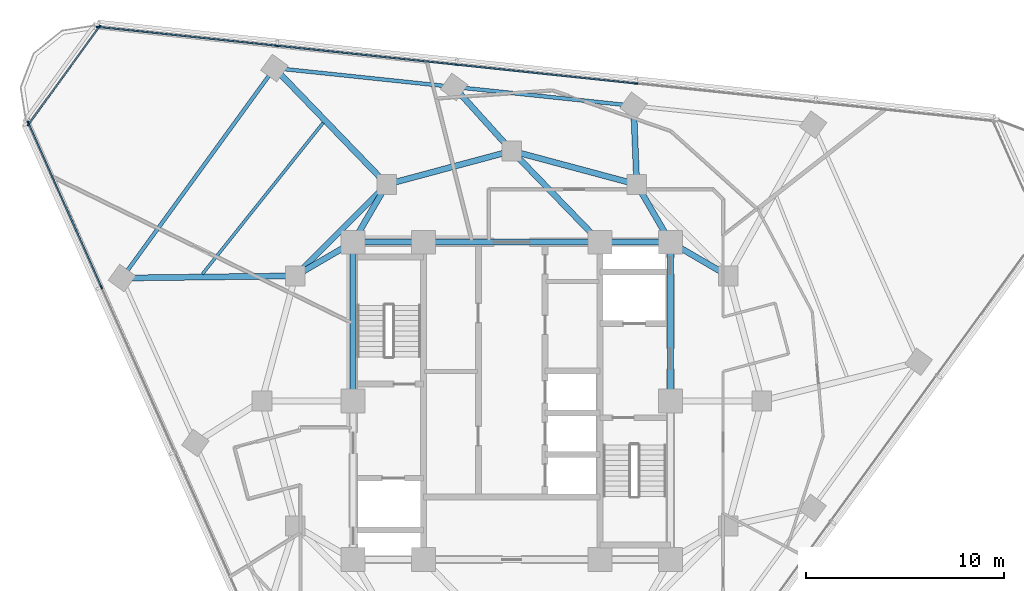
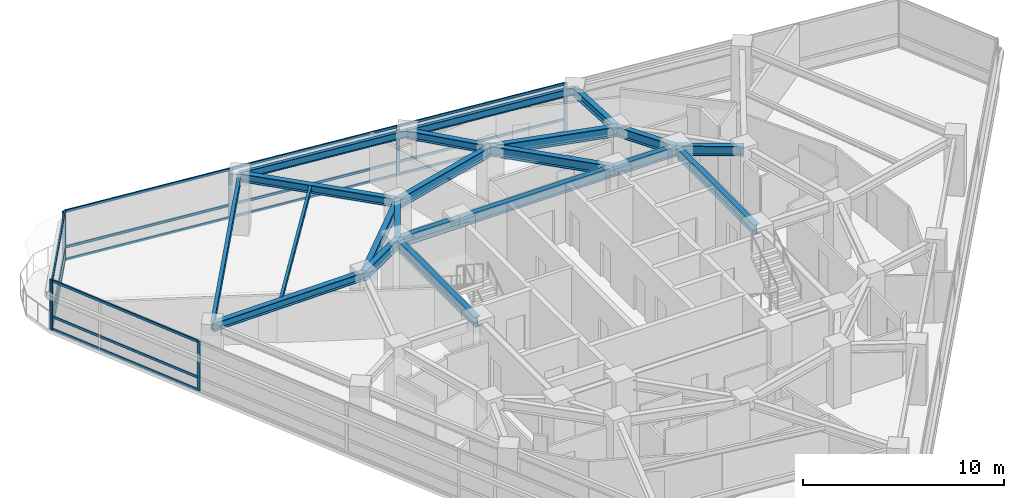
# One storey, part 5 of 14: 23 members, 21 beams, 3 elements without a shape of their own.
"""IFC4 building model written with IfcOpenShell, lengths in metres."""

from ifc_helpers import new_model, si_unit, direction, frame, origin, origin_2d, place, context, subcontext, project, spatial, rectangle, i_section, extrude, material, layer, layer_set, material_profile, profile_set, type_object, element, aggregate, save


model = new_model("IFC4")

# Units and contexts
model_context = context("Model", 3, precision=1e-05, world=origin(), true_north=direction((0.0, 1.0)))
body_context = subcontext(model_context, "Body", "Model", "MODEL_VIEW")
ifc_project = project(units=[si_unit("LENGTHUNIT", "METRE"), si_unit("AREAUNIT", "SQUARE_METRE"), si_unit("VOLUMEUNIT", "CUBIC_METRE"), si_unit("PLANEANGLEUNIT", "RADIAN"), si_unit("MASSUNIT", "GRAM", prefix="KILO")], contexts=[model_context])

# Site, building, storey
site_placement = place(None, origin())
site = spatial("IfcSite", under=ifc_project, at=site_placement, CompositionType="ELEMENT")
building_placement = place(site_placement, origin())
building = spatial("IfcBuilding", under=site, at=building_placement, Name="Terralouvre Media Tower", CompositionType="ELEMENT")
storey_placement = place(building_placement, frame((0.0, 0.0, 218.89990234375)))
storey = spatial("IfcBuildingStorey", under=building, at=storey_placement, Name="L56", CompositionType="ELEMENT", Elevation=218.89990234375)

# Beam
ifc_material_1 = material(Name="Structural steel S355J2", Category="steel")
ifc_material_profile_1 = material_profile(ifc_material_1, i_section(OverallWidth=0.14990234375, OverallDepth=0.300048828125, WebThickness=0.007080078125, FlangeThickness=0.0107421875, at=origin_2d()), Name="IPE 300")
ifc_profile_set_1 = profile_set([ifc_material_profile_1], Name="Structural steel S355J2")
beam_type_1 = type_object("IfcBeamType", Name="Composite Floor Joist J-IPE300 (IPE 300)", PredefinedType="JOIST", material=ifc_profile_set_1)
beam_1_placement = place(storey_placement, frame((-9.507568359375, 14.0205078125, 3.35009765625), z_axis=(-0.623938489158, -0.781473455561, 0.0), x_axis=(0.781473455561, -0.623938489158, 0.0)))
element("IfcBeam", 1, at=beam_1_placement, inside=storey, type_object=beam_type_1, Name="L56 Framing Beam JT-L56-05", PredefinedType="JOIST", context=body_context, shape_type="SweptSolid", body=[
    extrude(i_section(OverallWidth=0.14990234375, OverallDepth=0.300048828125, WebThickness=0.007080078125, FlangeThickness=0.0107421875, at=origin_2d()), origin(), (0.0, 0.0, 1.0), 9.763427734375),
])

# Curtain wall, members
ifc_material_2 = material(Name="Low-iron laminated double glazing with solar-control coating", Category="glass")
ifc_layer_1 = layer(ifc_material_2, 0.1650390625, Name="Upper Executive Tower Curtain Wall CW-05")
ifc_layer_set_1 = layer_set([ifc_layer_1], Name="Low-iron laminated double glazing with solar-control coating")
curtain_wall_type_1 = type_object("IfcCurtainWallType", Name="Upper Executive Tower Curtain Wall CW-05", PredefinedType="NOTDEFINED", material=ifc_layer_set_1)
curtain_wall_1_placement = place(storey_placement, origin())
curtain_wall_1 = element("IfcCurtainWall", 2, at=curtain_wall_1_placement, inside=storey, type_object=curtain_wall_type_1, Name="L56 Facade Curtain Wall F1", PredefinedType="NOTDEFINED")
ifc_material_3 = material(Name="Anodised extruded aluminium 6063-T6", Category="aluminium")
ifc_material_profile_2 = material_profile(ifc_material_3, rectangle(XDim=0.074951171875, YDim=0.14990234375, at=origin_2d()), Name="ALU 75x150")
ifc_profile_set_2 = profile_set([ifc_material_profile_2], Name="Anodised extruded aluminium 6063-T6")
member_type_1 = type_object("IfcMemberType", Name="Curtain-Wall Horizontal Transom TR-150", PredefinedType="USERDEFINED", material=ifc_profile_set_2)
member_1_placement = place(storey_placement, frame((6.21923828125, 16.002197265625, 0.03759765625), z_axis=(-0.994522041896, 0.104527069141, 0.0), x_axis=(-0.104527069141, -0.994522041896, 0.0)))
member_1 = element("IfcMember", 3, at=member_1_placement, type_object=member_type_1, Name="CW-05 transom 3.1", ObjectType="TRANSOM", PredefinedType="USERDEFINED", context=body_context, shape_type="SweptSolid", body=[
    extrude(rectangle(XDim=0.074951171875, YDim=0.14990234375, at=origin_2d()), origin(), (0.0, 0.0, 1.0), 9.025146484375),
])
member_2_placement = place(storey_placement, frame((6.21923828125, 16.002197265625, 0.800048828125), z_axis=(-0.994522041896, 0.104527069141, 0.0), x_axis=(-0.104527069141, -0.994522041896, 0.0)))
member_2 = element("IfcMember", 4, at=member_2_placement, type_object=member_type_1, Name="CW-05 transom 3.2", ObjectType="TRANSOM", PredefinedType="USERDEFINED", context=body_context, shape_type="SweptSolid", body=[
    extrude(rectangle(XDim=0.074951171875, YDim=0.14990234375, at=origin_2d()), origin(), (0.0, 0.0, 1.0), 9.025146484375),
])
member_3_placement = place(storey_placement, frame((6.21923828125, 16.002197265625, 2.962646484375), z_axis=(-0.994522041896, 0.104527069141, 0.0), x_axis=(-0.104527069141, -0.994522041896, 0.0)))
member_3 = element("IfcMember", 5, at=member_3_placement, type_object=member_type_1, Name="CW-05 transom 3.3", ObjectType="TRANSOM", PredefinedType="USERDEFINED", context=body_context, shape_type="SweptSolid", body=[
    extrude(rectangle(XDim=0.074951171875, YDim=0.14990234375, at=origin_2d()), origin(), (0.0, 0.0, 1.0), 9.025146484375),
])
member_4_placement = place(storey_placement, frame((-2.830810546875, 16.95361328125, 0.03759765625), z_axis=(-0.994522041896, 0.104527069141, 0.0), x_axis=(-0.104527069141, -0.994522041896, 0.0)))
member_4 = element("IfcMember", 6, at=member_4_placement, type_object=member_type_1, Name="CW-05 transom 4.1", ObjectType="TRANSOM", PredefinedType="USERDEFINED", context=body_context, shape_type="SweptSolid", body=[
    extrude(rectangle(XDim=0.074951171875, YDim=0.14990234375, at=origin_2d()), origin(), (0.0, 0.0, 1.0), 9.025146484375),
])
member_5_placement = place(storey_placement, frame((-2.830810546875, 16.95361328125, 0.800048828125), z_axis=(-0.994522041896, 0.104527069141, 0.0), x_axis=(-0.104527069141, -0.994522041896, 0.0)))
member_5 = element("IfcMember", 7, at=member_5_placement, type_object=member_type_1, Name="CW-05 transom 4.2", ObjectType="TRANSOM", PredefinedType="USERDEFINED", context=body_context, shape_type="SweptSolid", body=[
    extrude(rectangle(XDim=0.074951171875, YDim=0.14990234375, at=origin_2d()), origin(), (0.0, 0.0, 1.0), 9.025146484375),
])
member_6_placement = place(storey_placement, frame((-2.830810546875, 16.95361328125, 2.962646484375), z_axis=(-0.994522041896, 0.104527069141, 0.0), x_axis=(-0.104527069141, -0.994522041896, 0.0)))
member_6 = element("IfcMember", 8, at=member_6_placement, type_object=member_type_1, Name="CW-05 transom 4.3", ObjectType="TRANSOM", PredefinedType="USERDEFINED", context=body_context, shape_type="SweptSolid", body=[
    extrude(rectangle(XDim=0.074951171875, YDim=0.14990234375, at=origin_2d()), origin(), (0.0, 0.0, 1.0), 9.025146484375),
])
member_7_placement = place(storey_placement, frame((-11.881103515625, 17.90478515625, 0.03759765625), z_axis=(-0.994521813919, 0.104529238206, 0.0), x_axis=(-0.104529238206, -0.994521813919, 0.0)))
member_7 = element("IfcMember", 9, at=member_7_placement, type_object=member_type_1, Name="CW-05 transom 5.1", ObjectType="TRANSOM", PredefinedType="USERDEFINED", context=body_context, shape_type="SweptSolid", body=[
    extrude(rectangle(XDim=0.074951171875, YDim=0.14990234375, at=origin_2d()), origin(), (0.0, 0.0, 1.0), 8.987548828125),
])
member_8_placement = place(storey_placement, frame((-11.881103515625, 17.90478515625, 0.800048828125), z_axis=(-0.994521813919, 0.104529238206, 0.0), x_axis=(-0.104529238206, -0.994521813919, 0.0)))
member_8 = element("IfcMember", 10, at=member_8_placement, type_object=member_type_1, Name="CW-05 transom 5.2", ObjectType="TRANSOM", PredefinedType="USERDEFINED", context=body_context, shape_type="SweptSolid", body=[
    extrude(rectangle(XDim=0.074951171875, YDim=0.14990234375, at=origin_2d()), origin(), (0.0, 0.0, 1.0), 8.987548828125),
])
member_9_placement = place(storey_placement, frame((-11.881103515625, 17.90478515625, 2.962646484375), z_axis=(-0.994521813919, 0.104529238206, 0.0), x_axis=(-0.104529238206, -0.994521813919, 0.0)))
member_9 = element("IfcMember", 11, at=member_9_placement, type_object=member_type_1, Name="CW-05 transom 5.3", ObjectType="TRANSOM", PredefinedType="USERDEFINED", context=body_context, shape_type="SweptSolid", body=[
    extrude(rectangle(XDim=0.074951171875, YDim=0.14990234375, at=origin_2d()), origin(), (0.0, 0.0, 1.0), 8.987548828125),
])

curtain_wall_2_placement = place(storey_placement, origin())
curtain_wall_2 = element("IfcCurtainWall", 12, at=curtain_wall_2_placement, inside=storey, type_object=curtain_wall_type_1, Name="L56 Facade Curtain Wall F2", PredefinedType="NOTDEFINED")
member_10_placement = place(storey_placement, frame((-24.35546875, 13.97705078125, 0.03759765625), z_axis=(0.406758390963, -0.913535774549, 0.0), x_axis=(0.913535774549, 0.406758390963, 0.0)))
member_10 = element("IfcMember", 13, at=member_10_placement, type_object=member_type_1, Name="CW-05 transom 1.1", ObjectType="TRANSOM", PredefinedType="USERDEFINED", context=body_context, shape_type="SweptSolid", body=[
    extrude(rectangle(XDim=0.074951171875, YDim=0.14990234375, at=origin_2d()), origin(), (0.0, 0.0, 1.0), 8.987548828125),
])
member_11_placement = place(storey_placement, frame((-24.35546875, 13.97705078125, 0.800048828125), z_axis=(0.406758390963, -0.913535774549, 0.0), x_axis=(0.913535774549, 0.406758390963, 0.0)))
member_11 = element("IfcMember", 14, at=member_11_placement, type_object=member_type_1, Name="CW-05 transom 1.2", ObjectType="TRANSOM", PredefinedType="USERDEFINED", context=body_context, shape_type="SweptSolid", body=[
    extrude(rectangle(XDim=0.074951171875, YDim=0.14990234375, at=origin_2d()), origin(), (0.0, 0.0, 1.0), 8.987548828125),
])
member_12_placement = place(storey_placement, frame((-24.35546875, 13.97705078125, 2.962646484375), z_axis=(0.406758390963, -0.913535774549, 0.0), x_axis=(0.913535774549, 0.406758390963, 0.0)))
member_12 = element("IfcMember", 15, at=member_12_placement, type_object=member_type_1, Name="CW-05 transom 1.3", ObjectType="TRANSOM", PredefinedType="USERDEFINED", context=body_context, shape_type="SweptSolid", body=[
    extrude(rectangle(XDim=0.074951171875, YDim=0.14990234375, at=origin_2d()), origin(), (0.0, 0.0, 1.0), 8.987548828125),
])

ifc_material_4 = material(Name="Low-iron laminated double glazing with solar-control coating", Category="glass")
ifc_layer_2 = layer(ifc_material_4, 0.1650390625, Name="Rounded Wind-Corner Curved Glazing CW-04")
ifc_layer_set_2 = layer_set([ifc_layer_2], Name="Low-iron laminated double glazing with solar-control coating")
curtain_wall_type_2 = type_object("IfcCurtainWallType", Name="Rounded Wind-Corner Curved Glazing CW-04", PredefinedType="NOTDEFINED", material=ifc_layer_set_2)
curtain_wall_3_placement = place(storey_placement, origin())
curtain_wall_3 = element("IfcCurtainWall", 16, at=curtain_wall_3_placement, inside=storey, type_object=curtain_wall_type_2, Name="L56 Rounded Wind-Corner Curtain Wall C2", PredefinedType="NOTDEFINED")
member_13_placement = place(storey_placement, frame((-20.812255859375, 18.828369140625, 0.03759765625), z_axis=(-0.58777959511, -0.809021104528, 0.0), x_axis=(0.809021104528, -0.58777959511, 0.0)))
member_13 = element("IfcMember", 17, at=member_13_placement, type_object=member_type_1, Name="CW-04 transom 1.1", ObjectType="TRANSOM", PredefinedType="USERDEFINED", context=body_context, shape_type="SweptSolid", body=[
    extrude(rectangle(XDim=0.074951171875, YDim=0.14990234375, at=origin_2d()), origin(), (0.0, 0.0, 1.0), 5.99853515625),
])
member_14_placement = place(storey_placement, frame((-20.812255859375, 18.828369140625, 0.800048828125), z_axis=(-0.58777959511, -0.809021104528, 0.0), x_axis=(0.809021104528, -0.58777959511, 0.0)))
member_14 = element("IfcMember", 18, at=member_14_placement, type_object=member_type_1, Name="CW-04 transom 1.2", ObjectType="TRANSOM", PredefinedType="USERDEFINED", context=body_context, shape_type="SweptSolid", body=[
    extrude(rectangle(XDim=0.074951171875, YDim=0.14990234375, at=origin_2d()), origin(), (0.0, 0.0, 1.0), 5.99853515625),
])
member_15_placement = place(storey_placement, frame((-20.812255859375, 18.828369140625, 2.962646484375), z_axis=(-0.58777959511, -0.809021104528, 0.0), x_axis=(0.809021104528, -0.58777959511, 0.0)))
member_15 = element("IfcMember", 19, at=member_15_placement, type_object=member_type_1, Name="CW-04 transom 1.3", ObjectType="TRANSOM", PredefinedType="USERDEFINED", context=body_context, shape_type="SweptSolid", body=[
    extrude(rectangle(XDim=0.074951171875, YDim=0.14990234375, at=origin_2d()), origin(), (0.0, 0.0, 1.0), 5.99853515625),
])

# Member
ifc_material_5 = material(Name="Anodised extruded aluminium 6063-T6", Category="aluminium")
ifc_material_profile_3 = material_profile(ifc_material_5, rectangle(XDim=0.074951171875, YDim=0.179931640625, at=origin_2d()), Name="ALU 75x180")
ifc_profile_set_3 = profile_set([ifc_material_profile_3], Name="Anodised extruded aluminium 6063-T6")
member_type_2 = type_object("IfcMemberType", Name="Curtain-Wall Vertical Mullion ML-180", PredefinedType="MULLION", material=ifc_profile_set_3)
member_16_placement = place(storey_placement, frame((6.256591796875, 15.998291015625, 0.0), z_axis=(0.0, 0.0, 1.0), x_axis=(-0.104528561651, -0.994521885028, 0.0)))
member_16 = element("IfcMember", 20, at=member_16_placement, type_object=member_type_2, Name="CW-05 mullion 3", PredefinedType="MULLION", context=body_context, shape_type="SweptSolid", body=[
    extrude(rectangle(XDim=0.074951171875, YDim=0.179931640625, at=origin_2d()), origin(), (0.0, 0.0, 1.0), 3.0),
])

member_17_placement = place(storey_placement, frame((-2.793701171875, 16.949462890625, 0.0), z_axis=(0.0, 0.0, 1.0), x_axis=(-0.104528561651, -0.994521885028, 0.0)))
member_17 = element("IfcMember", 21, at=member_17_placement, type_object=member_type_2, Name="CW-05 mullion 4", PredefinedType="MULLION", context=body_context, shape_type="SweptSolid", body=[
    extrude(rectangle(XDim=0.074951171875, YDim=0.179931640625, at=origin_2d()), origin(), (0.0, 0.0, 1.0), 3.0),
])

member_18_placement = place(storey_placement, frame((-11.84375, 17.90087890625, 0.0), z_axis=(0.0, 0.0, 1.0), x_axis=(-0.104528561651, -0.994521885028, 0.0)))
member_18 = element("IfcMember", 22, at=member_18_placement, type_object=member_type_2, Name="CW-05 mullion 5", PredefinedType="MULLION", context=body_context, shape_type="SweptSolid", body=[
    extrude(rectangle(XDim=0.074951171875, YDim=0.179931640625, at=origin_2d()), origin(), (0.0, 0.0, 1.0), 3.0),
])

member_19_placement = place(storey_placement, frame((-20.856689453125, 18.84814453125, 0.0), z_axis=(0.0, 0.0, 1.0), x_axis=(-0.104528561651, -0.994521885028, 0.0)))
member_19 = element("IfcMember", 23, at=member_19_placement, type_object=member_type_2, Name="CW-05 mullion 6", PredefinedType="MULLION", context=body_context, shape_type="SweptSolid", body=[
    extrude(rectangle(XDim=0.074951171875, YDim=0.179931640625, at=origin_2d()), origin(), (0.0, 0.0, 1.0), 3.0),
])

aggregate(curtain_wall_1, [member_16, member_17, member_18, member_19, member_1, member_2, member_3, member_4, member_5, member_6, member_7, member_8, member_9])

member_20_placement = place(storey_placement, frame((-24.37060546875, 14.011474609375, 0.0), z_axis=(0.0, 0.0, 1.0), x_axis=(0.913545441365, 0.406736679636, 0.0)))
member_20 = element("IfcMember", 24, at=member_20_placement, type_object=member_type_2, Name="CW-05 mullion 1", PredefinedType="MULLION", context=body_context, shape_type="SweptSolid", body=[
    extrude(rectangle(XDim=0.074951171875, YDim=0.179931640625, at=origin_2d()), origin(), (0.0, 0.0, 1.0), 3.0),
])

member_21_placement = place(storey_placement, frame((-20.6845703125, 5.732421875, 0.0), z_axis=(0.0, 0.0, 1.0), x_axis=(0.913545441365, 0.406736679636, 0.0)))
member_21 = element("IfcMember", 25, at=member_21_placement, type_object=member_type_2, Name="CW-05 mullion 2", PredefinedType="MULLION", context=body_context, shape_type="SweptSolid", body=[
    extrude(rectangle(XDim=0.074951171875, YDim=0.179931640625, at=origin_2d()), origin(), (0.0, 0.0, 1.0), 3.0),
])

aggregate(curtain_wall_2, [member_20, member_21, member_10, member_11, member_12])

member_22_placement = place(storey_placement, frame((-20.7900390625, 18.858642578125, 0.0), z_axis=(0.0, 0.0, 1.0), x_axis=(0.809016531067, -0.58778588998, 0.0)))
member_22 = element("IfcMember", 26, at=member_22_placement, type_object=member_type_2, Name="CW-04 mullion 1", PredefinedType="MULLION", context=body_context, shape_type="SweptSolid", body=[
    extrude(rectangle(XDim=0.074951171875, YDim=0.179931640625, at=origin_2d()), origin(), (0.0, 0.0, 1.0), 3.0),
])

member_23_placement = place(storey_placement, frame((-24.360107421875, 13.94482421875, 0.0), z_axis=(0.0, 0.0, 1.0), x_axis=(0.809016531067, -0.58778588998, 0.0)))
member_23 = element("IfcMember", 27, at=member_23_placement, type_object=member_type_2, Name="CW-04 mullion 2", PredefinedType="MULLION", context=body_context, shape_type="SweptSolid", body=[
    extrude(rectangle(XDim=0.074951171875, YDim=0.179931640625, at=origin_2d()), origin(), (0.0, 0.0, 1.0), 3.0),
])

aggregate(curtain_wall_3, [member_22, member_23, member_13, member_14, member_15])

# Beams
ifc_material_6 = material(Name="Structural steel S355J2", Category="steel")
ifc_material_profile_4 = material_profile(ifc_material_6, i_section(OverallWidth=0.18994140625, OverallDepth=0.449951171875, WebThickness=0.009521484375, FlangeThickness=0.0146484375, at=origin_2d()), Name="IPE 450")
ifc_profile_set_4 = profile_set([ifc_material_profile_4], Name="Structural steel S355J2")
beam_type_2 = type_object("IfcBeamType", Name="Perimeter Spandrel Beam SPB-450 (IPE 450)", PredefinedType="SPANDREL", material=ifc_profile_set_4)
beam_2_placement = place(storey_placement, frame((6.138427734375, 14.87451171875, 3.275146484375), z_axis=(-0.994522199081, 0.104525573596, 0.0), x_axis=(-0.104525573596, -0.994522199081, 0.0)))
element("IfcBeam", 28, at=beam_2_placement, inside=storey, type_object=beam_type_2, Name="L56 Framing Beam BM-L56-PR09", PredefinedType="SPANDREL", context=body_context, shape_type="SweptSolid", body=[
    extrude(i_section(OverallWidth=0.18994140625, OverallDepth=0.449951171875, WebThickness=0.009521484375, FlangeThickness=0.0146484375, at=origin_2d()), origin(), (0.0, 0.0, 1.0), 9.099853515625),
])
beam_3_placement = place(storey_placement, frame((-2.91162109375, 15.82568359375, 3.275146484375), z_axis=(-0.994522492191, 0.10452278472, 0.0), x_axis=(-0.10452278472, -0.994522492191, 0.0)))
element("IfcBeam", 29, at=beam_3_placement, inside=storey, type_object=beam_type_2, Name="L56 Framing Beam BM-L56-PR10", PredefinedType="SPANDREL", context=body_context, shape_type="SweptSolid", body=[
    extrude(i_section(OverallWidth=0.18994140625, OverallDepth=0.449951171875, WebThickness=0.009521484375, FlangeThickness=0.0146484375, at=origin_2d()), origin(), (0.0, 0.0, 1.0), 9.10009765625),
])
beam_4_placement = place(storey_placement, frame((-11.9619140625, 16.77685546875, 3.275146484375), z_axis=(-0.587794396272, -0.809010350806, 0.0), x_axis=(0.809010350806, -0.587794396272, 0.0)))
element("IfcBeam", 30, at=beam_4_placement, inside=storey, type_object=beam_type_2, Name="L56 Framing Beam BM-L56-PR11", PredefinedType="SPANDREL", context=body_context, shape_type="SweptSolid", body=[
    extrude(i_section(OverallWidth=0.18994140625, OverallDepth=0.449951171875, WebThickness=0.009521484375, FlangeThickness=0.0146484375, at=origin_2d()), origin(), (0.0, 0.0, 1.0), 13.08349609375),
])
ifc_material_7 = material(Name="Structural steel S355J2", Category="steel")
ifc_material_profile_5 = material_profile(ifc_material_7, i_section(OverallWidth=0.300048828125, OverallDepth=0.5, WebThickness=0.014404296875, FlangeThickness=0.028076171875, at=origin_2d()), Name="HEB 500")
ifc_profile_set_5 = profile_set([ifc_material_profile_5], Name="Structural steel S355J2")
beam_type_3 = type_object("IfcBeamType", Name="Primary Floor Girder B-HEB500 (HEB 500)", PredefinedType="BEAM", material=ifc_profile_set_5)
beam_5_placement = place(storey_placement, frame((6.300048828125, 10.911865234375, 3.25), z_axis=(-0.040752268141, 0.999169281274, 0.0), x_axis=(-0.999169281274, -0.040752268141, 0.0)))
element("IfcBeam", 31, at=beam_5_placement, inside=storey, type_object=beam_type_3, Name="L56 Framing Beam BM-L56-RD09", PredefinedType="BEAM", context=body_context, shape_type="SweptSolid", body=[
    extrude(i_section(OverallWidth=0.300048828125, OverallDepth=0.5, WebThickness=0.014404296875, FlangeThickness=0.028076171875, at=origin_2d()), origin(), (0.0, 0.0, 1.0), 3.9658203125),
])
beam_6_placement = place(storey_placement, frame((0.0, 12.60009765625, 3.25), z_axis=(-0.670056658177, 0.742309958732, 0.0), x_axis=(-0.742309958732, -0.670056658177, 0.0)))
element("IfcBeam", 32, at=beam_6_placement, inside=storey, type_object=beam_type_3, Name="L56 Framing Beam BM-L56-RD10", PredefinedType="BEAM", context=body_context, shape_type="SweptSolid", body=[
    extrude(i_section(OverallWidth=0.300048828125, OverallDepth=0.5, WebThickness=0.014404296875, FlangeThickness=0.028076171875, at=origin_2d()), origin(), (0.0, 0.0, 1.0), 4.34521484375),
])
beam_7_placement = place(storey_placement, frame((-6.300048828125, 10.911865234375, 3.25), z_axis=(-0.694538392484, 0.719455642389, 0.0), x_axis=(-0.719455642389, -0.694538392484, 0.0)))
element("IfcBeam", 33, at=beam_7_placement, inside=storey, type_object=beam_type_3, Name="L56 Framing Beam BM-L56-RD11", PredefinedType="BEAM", context=body_context, shape_type="SweptSolid", body=[
    extrude(i_section(OverallWidth=0.300048828125, OverallDepth=0.5, WebThickness=0.014404296875, FlangeThickness=0.028076171875, at=origin_2d()), origin(), (0.0, 0.0, 1.0), 8.152099609375),
])
beam_8_placement = place(storey_placement, frame((-10.911865234375, 6.300048828125, 3.25), z_axis=(-0.999923796559, -0.012345083045, 0.0), x_axis=(0.012345083045, -0.999923796559, 0.0)))
element("IfcBeam", 34, at=beam_8_placement, inside=storey, type_object=beam_type_3, Name="L56 Framing Beam BM-L56-RD12", PredefinedType="BEAM", context=body_context, shape_type="SweptSolid", body=[
    extrude(i_section(OverallWidth=0.300048828125, OverallDepth=0.5, WebThickness=0.014404296875, FlangeThickness=0.028076171875, at=origin_2d()), origin(), (0.0, 0.0, 1.0), 8.7412109375),
])
ifc_material_8 = material(Name="Structural steel S460M", Category="steel")
ifc_material_profile_6 = material_profile(ifc_material_8, i_section(OverallWidth=0.300048828125, OverallDepth=0.60009765625, WebThickness=0.015380859375, FlangeThickness=0.030029296875, at=origin_2d()), Name="HEB 600")
ifc_profile_set_6 = profile_set([ifc_material_profile_6], Name="Structural steel S460M")
beam_type_4 = type_object("IfcBeamType", Name="Primary Floor Girder B-HEB600 (HEB 600)", PredefinedType="BEAM", material=ifc_profile_set_6)
beam_9_placement = place(storey_placement, frame((8.0, 0.0, 3.2001953125), z_axis=(0.0, 1.0, 0.0), x_axis=(-1.0, 0.0, 0.0)))
element("IfcBeam", 35, at=beam_9_placement, inside=storey, type_object=beam_type_4, Name="L56 Framing Beam BM-L56-CPR05", PredefinedType="BEAM", context=body_context, shape_type="SweptSolid", body=[
    extrude(i_section(OverallWidth=0.300048828125, OverallDepth=0.60009765625, WebThickness=0.015380859375, FlangeThickness=0.030029296875, at=origin_2d()), origin(), (0.0, 0.0, 1.0), 8.0),
])
beam_10_placement = place(storey_placement, frame((8.0, 8.0, 3.2001953125), z_axis=(-1.0, 0.0, 0.0), x_axis=(0.0, -1.0, 0.0)))
element("IfcBeam", 36, at=beam_10_placement, inside=storey, type_object=beam_type_4, Name="L56 Framing Beam BM-L56-CPR06", PredefinedType="BEAM", context=body_context, shape_type="SweptSolid", body=[
    extrude(i_section(OverallWidth=0.300048828125, OverallDepth=0.60009765625, WebThickness=0.015380859375, FlangeThickness=0.030029296875, at=origin_2d()), origin(), (0.0, 0.0, 1.0), 3.550048828125),
])
beam_11_placement = place(storey_placement, frame((4.449951171875, 8.0, 3.2001953125), z_axis=(-1.0, 0.0, 0.0), x_axis=(0.0, -1.0, 0.0)))
element("IfcBeam", 37, at=beam_11_placement, inside=storey, type_object=beam_type_4, Name="L56 Framing Beam BM-L56-CPR07", PredefinedType="BEAM", context=body_context, shape_type="SweptSolid", body=[
    extrude(i_section(OverallWidth=0.300048828125, OverallDepth=0.60009765625, WebThickness=0.015380859375, FlangeThickness=0.030029296875, at=origin_2d()), origin(), (0.0, 0.0, 1.0), 8.89990234375),
])
beam_12_placement = place(storey_placement, frame((-4.449951171875, 8.0, 3.2001953125), z_axis=(-1.0, 0.0, 0.0), x_axis=(0.0, -1.0, 0.0)))
element("IfcBeam", 38, at=beam_12_placement, inside=storey, type_object=beam_type_4, Name="L56 Framing Beam BM-L56-CPR08", PredefinedType="BEAM", context=body_context, shape_type="SweptSolid", body=[
    extrude(i_section(OverallWidth=0.300048828125, OverallDepth=0.60009765625, WebThickness=0.015380859375, FlangeThickness=0.030029296875, at=origin_2d()), origin(), (0.0, 0.0, 1.0), 3.550048828125),
])
beam_13_placement = place(storey_placement, frame((-8.0, 8.0, 3.2001953125), z_axis=(0.0, -1.0, 0.0), x_axis=(1.0, 0.0, 0.0)))
element("IfcBeam", 39, at=beam_13_placement, inside=storey, type_object=beam_type_4, Name="L56 Framing Beam BM-L56-CPR09", PredefinedType="BEAM", context=body_context, shape_type="SweptSolid", body=[
    extrude(i_section(OverallWidth=0.300048828125, OverallDepth=0.60009765625, WebThickness=0.015380859375, FlangeThickness=0.030029296875, at=origin_2d()), origin(), (0.0, 0.0, 1.0), 8.0),
])
for number, where, z_axis, x_axis, name in (
    (40, (6.300048828125, 10.911865234375, 3.2001953125), (-0.965920481897, 0.258838989821, 0.0), (-0.258838989821, -0.965920481897, 0.0), "L56 Framing Beam BM-L56-MR08"),
    (41, (0.0, 12.60009765625, 3.2001953125), (-0.965920481897, -0.258838989821, 0.0), (0.258838989821, -0.965920481897, 0.0), "L56 Framing Beam BM-L56-MR09"),
):
    element("IfcBeam", number, at=place(storey_placement, frame(where, z_axis=z_axis, x_axis=x_axis)), inside=storey, type_object=beam_type_4, Name=name, PredefinedType="BEAM", context=body_context, shape_type="SweptSolid", body=[
        extrude(i_section(OverallWidth=0.300048828125, OverallDepth=0.60009765625, WebThickness=0.015380859375, FlangeThickness=0.030029296875, at=origin_2d()), origin(), (0.0, 0.0, 1.0), 6.522216796875),
    ])
beam_14_placement = place(storey_placement, frame((-6.300048828125, 10.911865234375, 3.2001953125), z_axis=(-0.707106781187, -0.707106781187, 0.0), x_axis=(0.707106781187, -0.707106781187, 0.0)))
element("IfcBeam", 42, at=beam_14_placement, inside=storey, type_object=beam_type_4, Name="L56 Framing Beam BM-L56-MR10", PredefinedType="BEAM", context=body_context, shape_type="SweptSolid", body=[
    extrude(i_section(OverallWidth=0.300048828125, OverallDepth=0.60009765625, WebThickness=0.015380859375, FlangeThickness=0.030029296875, at=origin_2d()), origin(), (0.0, 0.0, 1.0), 6.52197265625),
])
for number, where, z_axis, x_axis, name in (
    (43, (8.0, 8.0, 3.2001953125), (0.863602894532, -0.504172629717, 0.0), (0.504172629717, 0.863602894532, 0.0), "L56 Framing Beam BM-L56-CM07"),
    (44, (8.0, 8.0, 3.2001953125), (-0.504172629717, 0.863602894532, 0.0), (-0.863602894532, -0.504172629717, 0.0), "L56 Framing Beam BM-L56-CM08"),
):
    element("IfcBeam", number, at=place(storey_placement, frame(where, z_axis=z_axis, x_axis=x_axis)), inside=storey, type_object=beam_type_4, Name=name, PredefinedType="BEAM", context=body_context, shape_type="SweptSolid", body=[
        extrude(i_section(OverallWidth=0.300048828125, OverallDepth=0.60009765625, WebThickness=0.015380859375, FlangeThickness=0.030029296875, at=origin_2d()), origin(), (0.0, 0.0, 1.0), 3.371826171875),
    ])
beam_15_placement = place(storey_placement, frame((4.449951171875, 8.0, 3.2001953125), z_axis=(-0.695279715726, 0.718739255155, 0.0), x_axis=(-0.718739255155, -0.695279715726, 0.0)))
element("IfcBeam", 45, at=beam_15_placement, inside=storey, type_object=beam_type_4, Name="L56 Framing Beam BM-L56-CM09", PredefinedType="BEAM", context=body_context, shape_type="SweptSolid", body=[
    extrude(i_section(OverallWidth=0.300048828125, OverallDepth=0.60009765625, WebThickness=0.015380859375, FlangeThickness=0.030029296875, at=origin_2d()), origin(), (0.0, 0.0, 1.0), 6.400146484375),
])
for number, where, z_axis, x_axis, name in (
    (46, (-8.0, 8.0, 3.2001953125), (0.504172629717, 0.863602894532, 0.0), (-0.863602894532, 0.504172629717, 0.0), "L56 Framing Beam BM-L56-CM10"),
    (47, (-8.0, 8.0, 3.2001953125), (-0.863602894532, -0.504172629717, 0.0), (0.504172629717, -0.863602894532, 0.0), "L56 Framing Beam BM-L56-CM11"),
):
    element("IfcBeam", number, at=place(storey_placement, frame(where, z_axis=z_axis, x_axis=x_axis)), inside=storey, type_object=beam_type_4, Name=name, PredefinedType="BEAM", context=body_context, shape_type="SweptSolid", body=[
        extrude(i_section(OverallWidth=0.300048828125, OverallDepth=0.60009765625, WebThickness=0.015380859375, FlangeThickness=0.030029296875, at=origin_2d()), origin(), (0.0, 0.0, 1.0), 3.371826171875),
    ])

save(model, "model.ifc")
